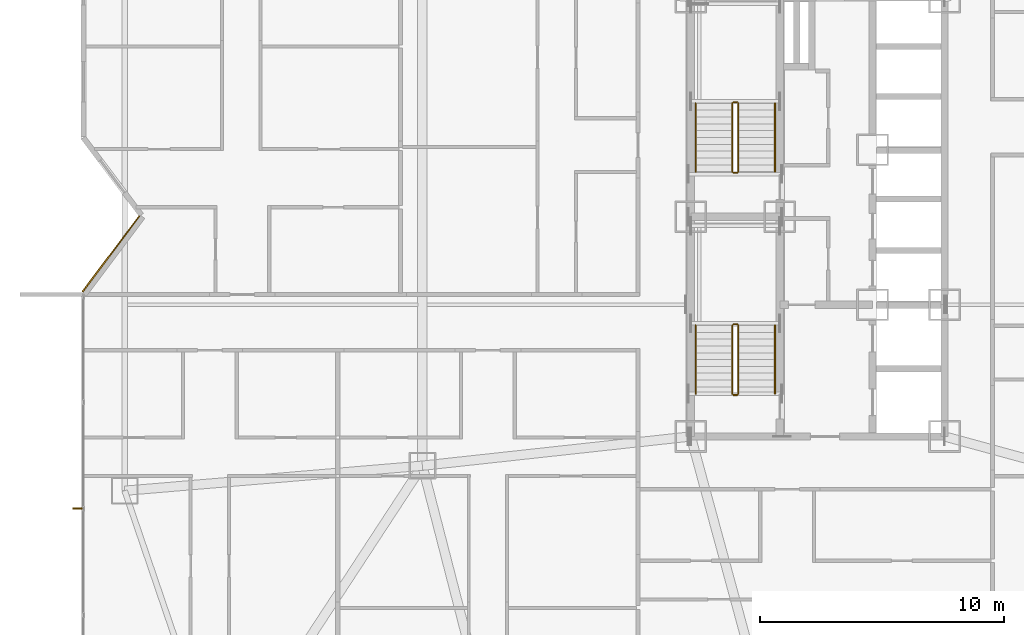
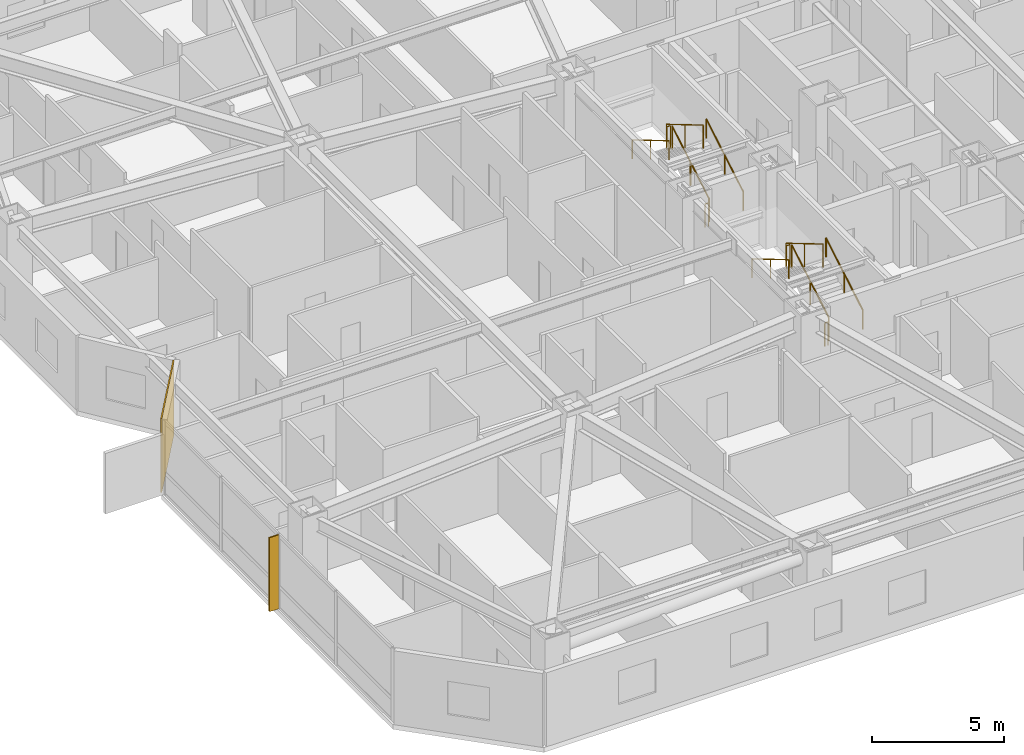
# One storey, part 18 of 19: 12 railings, 1 covering, 1 shading device.
"""IFC4 building model written with IfcOpenShell, lengths in metres."""

import ifcopenshell
import ifcopenshell.guid

model = None  # the IFC model being written
_history = None  # IfcOwnerHistory: only IFC2X3 demands one
_inside = {}  # id of a spatial element -> (the spatial element, [elements in it])
_under = {}  # id of a project, library or spatial element -> (it, [spatial elements below it])
_declared = {}  # id of a project -> (the project, [libraries it declares])
_typed = {}  # id of a type object -> (the type object, [elements of that type])
_made_of = {}  # id of a material, layer set ... -> (it, [elements and type objects made of it])


def new_model(schema):
    """Start an empty IFC model of exactly this schema.

    Asked for "IFC4X3", IfcOpenShell would pick the latest addendum, in which some entities
    have other attributes; the version numbers below select the first issue.
    IFC2X3 requires an IfcOwnerHistory on every rooted entity: one is made here for all.
    """
    global model, _history
    if schema == "IFC4X3":
        model = ifcopenshell.file(schema_version=(4, 3, 0, 0))
    else:
        model = ifcopenshell.file(schema=schema)
    _inside.clear()
    _under.clear()
    _declared.clear()
    _typed.clear()
    _made_of.clear()
    _history = None
    if model.schema == "IFC2X3":
        org = make("IfcOrganization", Name="unknown")
        user = make(
            "IfcPersonAndOrganization",
            ThePerson=make("IfcPerson", FamilyName="unknown"),
            TheOrganization=org,
        )
        app = make(
            "IfcApplication",
            ApplicationDeveloper=org,
            Version="unknown",
            ApplicationFullName="unknown",
            ApplicationIdentifier="unknown",
        )
        _history = make(
            "IfcOwnerHistory",
            OwningUser=user,
            OwningApplication=app,
            ChangeAction="ADDED",
            CreationDate=0,
        )
    return model


def make(cls, **values):
    """One entity of the class cls with the attributes given. An attribute that is None is left unset."""
    return model.create_entity(
        cls, **{name: value for name, value in values.items() if value is not None}
    )


def rooted(cls, **values):
    """An entity with a GlobalId (a new one), such as an element, a storey or a relation."""
    return make(cls, GlobalId=ifcopenshell.guid.new(), OwnerHistory=_history, **values)


def si_unit(unit_type, name, prefix=None):
    """IfcSIUnit, for example si_unit("LENGTHUNIT", "METRE", prefix="MILLI")."""
    return make("IfcSIUnit", UnitType=unit_type, Prefix=prefix, Name=name)


def assignment(units):
    """IfcUnitAssignment: the units of a project."""
    return None if units is None else make("IfcUnitAssignment", Units=units)


def point(xyz):
    """IfcCartesianPoint."""
    return None if xyz is None else make("IfcCartesianPoint", Coordinates=xyz)


def direction(xyz):
    """IfcDirection."""
    return None if xyz is None else make("IfcDirection", DirectionRatios=xyz)


def frame(location, z_axis=None, x_axis=None):
    """IfcAxis2Placement3D, a coordinate frame: its origin and axes. An axis left out is left unset."""
    return make(
        "IfcAxis2Placement3D",
        Location=point(location),
        Axis=direction(z_axis),
        RefDirection=direction(x_axis),
    )


def frame_2d(location, x_axis=None):
    """IfcAxis2Placement2D, a coordinate frame in the plane: its origin and x axis."""
    return make(
        "IfcAxis2Placement2D", Location=point(location), RefDirection=direction(x_axis)
    )


def origin():
    """The frame at (0, 0, 0) with its axes left unset."""
    return frame((0.0, 0.0, 0.0))


def origin_2d():
    """The frame at (0, 0) in the plane with its x axis left unset."""
    return frame_2d((0.0, 0.0))


def place(relative_to, where):
    """IfcLocalPlacement: puts the frame where relative to a parent placement (None: the world)."""
    return make(
        "IfcLocalPlacement", PlacementRelTo=relative_to, RelativePlacement=where
    )


def context(
    kind, dimensions, precision=None, world=None, true_north=None, identifier=None
):
    """IfcGeometricRepresentationContext, for example the 3D "Model" context."""
    return make(
        "IfcGeometricRepresentationContext",
        ContextIdentifier=identifier,
        ContextType=kind,
        CoordinateSpaceDimension=dimensions,
        Precision=precision,
        WorldCoordinateSystem=world,
        TrueNorth=true_north,
    )


def subcontext(parent, identifier, kind, view, scale=None):
    """IfcGeometricRepresentationSubContext, for example "Body" below "Model"."""
    return make(
        "IfcGeometricRepresentationSubContext",
        ContextIdentifier=identifier,
        ContextType=kind,
        ParentContext=parent,
        TargetScale=scale,
        TargetView=view,
    )


def project(units=None, contexts=None):
    """IfcProject with its units and contexts."""
    return rooted(
        "IfcProject",
        Name="project",
        RepresentationContexts=contexts,
        UnitsInContext=assignment(units),
    )


def spatial(cls, under=None, at=None, **own):
    """A site, building, storey or space (cls), placed at a placement, below another one or the project."""
    s = rooted(cls, ObjectPlacement=at, **own)
    if under is not None:
        _under.setdefault(under.id(), (under, []))[1].append(s)
    return s


def profile(cls, at=None, kind="AREA", **sizes):
    """A parametric profile (cls). Its sizes go by their IFC names, for example OverallWidth=200.0."""
    return make(cls, ProfileType=kind, Position=at, **sizes)


def rectangle(**sizes):
    """IfcRectangleProfileDef."""
    return profile("IfcRectangleProfileDef", **sizes)


def circle(**sizes):
    """IfcCircleProfileDef."""
    return profile("IfcCircleProfileDef", **sizes)


def extrude(swept, where, along, depth):
    """IfcExtrudedAreaSolid: the profile swept, set in the frame where, extruded along a direction by depth."""
    return make(
        "IfcExtrudedAreaSolid",
        SweptArea=swept,
        Position=where,
        ExtrudedDirection=direction(along),
        Depth=depth,
    )


def shape(context_of_items, identifier, shape_type, items):
    """IfcShapeRepresentation: the items that make up one representation, for example the "Body"."""
    return make(
        "IfcShapeRepresentation",
        ContextOfItems=context_of_items,
        RepresentationIdentifier=identifier,
        RepresentationType=shape_type,
        Items=items,
    )


def material(Name=None, Category=None):
    """IfcMaterial."""
    return make("IfcMaterial", Name=Name, Category=Category)


def layer(
    of_material, thickness, ventilated=None, Name=None, Category=None, Priority=None
):
    """IfcMaterialLayer: one layer of a wall or slab, of a material (None: an air gap)."""
    return make(
        "IfcMaterialLayer",
        Material=of_material,
        LayerThickness=thickness,
        IsVentilated=ventilated,
        Name=Name,
        Category=Category,
        Priority=Priority,
    )


def layer_set(layers, Name=None):
    """IfcMaterialLayerSet."""
    return make("IfcMaterialLayerSet", MaterialLayers=layers, LayerSetName=Name)


def made_of(thing, what):
    """Note that an element or type object is made of a material, layer set ...; save() writes the relation."""
    if what is not None:
        _made_of.setdefault(what.id(), (what, []))[1].append(thing)
    return thing


def type_object(cls, material=None, **own):
    """A type object (cls), such as IfcWallType, which elements share."""
    return made_of(rooted(cls, **own), material)


def element(
    cls,
    number,
    at=None,
    inside=None,
    cuts=None,
    type_object=None,
    material=None,
    context=None,
    identifier="Body",
    shape_type=None,
    held_by="IfcProductDefinitionShape",
    body=None,
    shapes=None,
    **own,
):
    """One element of the class cls, such as IfcWall. Its Tag is "e" and its number.

    at: its placement. inside: the storey or other place that contains it. cuts: it is an
    opening in that element (IfcRelVoidsElement). A single representation is given by context,
    identifier, shape_type and body (its items); several are given by shapes. held_by: the class
    of the entity that holds the representations. save() writes the other relations.
    """
    e = rooted(cls, Tag="e%d" % number, ObjectPlacement=at, **own)
    if body is not None:
        shapes = [shape(context, identifier, shape_type, body)]
    if shapes is not None:
        e.Representation = make(held_by, Representations=shapes)
    if inside is not None:
        _inside.setdefault(inside.id(), (inside, []))[1].append(e)
    if cuts is not None:
        rooted(
            "IfcRelVoidsElement", RelatingBuildingElement=cuts, RelatedOpeningElement=e
        )
    if type_object is not None:
        _typed.setdefault(type_object.id(), (type_object, []))[1].append(e)
    return made_of(e, material)


def aggregate(whole, parts):
    """IfcRelAggregates: a whole, such as a stair, and the parts it consists of."""
    return rooted("IfcRelAggregates", RelatingObject=whole, RelatedObjects=parts)


def save(model, path):
    """Write the relations noted so far, then the file.

    IfcRelAggregates (storeys below a building ...), IfcRelContainedInSpatialStructure (elements
    in a storey), IfcRelDefinesByType, IfcRelAssociatesMaterial and IfcRelDeclares: one each for
    every whole, place, type object, material and project.
    """
    for whole, parts in _under.values():
        aggregate(whole, parts)
    for where, things in _inside.values():
        rooted(
            "IfcRelContainedInSpatialStructure",
            RelatedElements=things,
            RelatingStructure=where,
        )
    for kind, things in _typed.values():
        rooted("IfcRelDefinesByType", RelatedObjects=things, RelatingType=kind)
    for what, things in _made_of.values():
        rooted("IfcRelAssociatesMaterial", RelatedObjects=things, RelatingMaterial=what)
    for by, libraries in _declared.values():
        rooted("IfcRelDeclares", RelatingContext=by, RelatedDefinitions=libraries)
    model.write(path)


model = new_model("IFC4")

# Units and contexts
model_context = context("Model", 3, precision=1e-05, world=origin(), true_north=direction((0.0, 1.0)))
body_context = subcontext(model_context, "Body", "Model", "MODEL_VIEW")
ifc_project = project(units=[si_unit("LENGTHUNIT", "METRE"), si_unit("AREAUNIT", "SQUARE_METRE"), si_unit("VOLUMEUNIT", "CUBIC_METRE"), si_unit("PLANEANGLEUNIT", "RADIAN"), si_unit("MASSUNIT", "GRAM", prefix="KILO")], contexts=[model_context])

# Site, building, storey
site_placement = place(None, origin())
site = spatial("IfcSite", under=ifc_project, at=site_placement, CompositionType="ELEMENT")
building_placement = place(site_placement, origin())
building = spatial("IfcBuilding", under=site, at=building_placement, Name="Khamvora Tower", CompositionType="ELEMENT")
storey_placement = place(building_placement, frame((0.0, 0.0, 58.85009765625)))
storey = spatial("IfcBuildingStorey", under=building, at=storey_placement, Name="L14", CompositionType="ELEMENT", Elevation=58.85009765625)

# Covering
ifc_material_1 = material(Name="Anodised Bronze Aluminium Spandrel Panel", Category="aluminium")
ifc_layer = layer(ifc_material_1, 0.054931640625)
ifc_layer_set = layer_set([ifc_layer], Name="Anodised Bronze Aluminium Spandrel Panel")
covering_type = type_object("IfcCoveringType", Name="COV-CLD-BRZ", PredefinedType="CLADDING", material=ifc_layer_set)
covering_placement = place(storey_placement, frame((5.239013671875, 26.48095703125, 0.0), z_axis=(0.0, 0.0, 1.0), x_axis=(0.599799379336, 0.8001504262, 0.0)))
element("IfcCovering", 1, at=covering_placement, inside=storey, type_object=covering_type, Name="L14 chamfer rainscreen cladding 03.1", PredefinedType="CLADDING", context=body_context, shape_type="SweptSolid", body=[
    extrude(rectangle(XDim=3.887939453125, YDim=0.054931640625, at=origin_2d()), origin(), (0.0, 0.0, 1.0), 3.429931640625),
])

# Railings
ifc_material_2 = material(Name="Brushed Stainless Steel 316", Category="steel")
railing_type_1 = type_object("IfcRailingType", Name="RAL-HDR-920", PredefinedType="HANDRAIL", material=ifc_material_2)
railing_1_placement = place(storey_placement, frame((32.449951171875, 20.75, 0.165771484375)))
element("IfcRailing", 2, at=railing_1_placement, inside=storey, type_object=railing_type_1, Name="L14 ST-01 stair handrail 1", PredefinedType="HANDRAIL", context=body_context, shape_type="SweptSolid", body=[
    extrude(circle(Radius=0.02392578125, at=origin_2d()), frame((0.0, 0.0, 0.8759765625), z_axis=(0.0, 0.860306154799, 0.50977771628), x_axis=(-1.0, 0.0, 0.0)), (0.0, 0.0, 1.0), 3.254638671875),
    extrude(circle(Radius=0.02099609375, at=origin_2d()), origin(), (0.0, 0.0, 1.0), 0.851806640625),
    extrude(circle(Radius=0.02099609375, at=origin_2d()), frame((0.0, 1.39990234375, 0.82958984375)), (0.0, 0.0, 1.0), 0.851806640625),
    extrude(circle(Radius=0.02099609375, at=origin_2d()), frame((0.0, 2.800048828125, 1.6591796875)), (0.0, 0.0, 1.0), 0.851806640625),
])
railing_2_placement = place(storey_placement, frame((29.199951171875, 23.550048828125, 1.99072265625)))
element("IfcRailing", 3, at=railing_2_placement, inside=storey, type_object=railing_type_1, Name="L14 ST-01 stair handrail 2", PredefinedType="HANDRAIL", context=body_context, shape_type="SweptSolid", body=[
    extrude(circle(Radius=0.02392578125, at=origin_2d()), frame((0.0, 0.0, 0.8759765625), z_axis=(0.0, -0.860306154799, 0.50977771628), x_axis=(1.0, 0.0, 0.0)), (0.0, 0.0, 1.0), 3.254638671875),
    extrude(circle(Radius=0.02099609375, at=origin_2d()), origin(), (0.0, 0.0, 1.0), 0.851806640625),
    extrude(circle(Radius=0.02099609375, at=origin_2d()), frame((0.0, -1.39990234375, 0.82958984375)), (0.0, 0.0, 1.0), 0.851806640625),
    extrude(circle(Radius=0.02099609375, at=origin_2d()), frame((0.0, -2.800048828125, 1.6591796875)), (0.0, 0.0, 1.0), 0.851806640625),
])
railing_3_placement = place(storey_placement, frame((32.449951171875, 29.85009765625, 0.165771484375)))
element("IfcRailing", 4, at=railing_3_placement, inside=storey, type_object=railing_type_1, Name="L14 ST-02 stair handrail 1", PredefinedType="HANDRAIL", context=body_context, shape_type="SweptSolid", body=[
    extrude(circle(Radius=0.02392578125, at=origin_2d()), frame((0.0, 0.0, 0.8759765625), z_axis=(0.0, 0.860286659441, 0.509810615413), x_axis=(-1.0, 0.0, 0.0)), (0.0, 0.0, 1.0), 3.25439453125),
    extrude(circle(Radius=0.02099609375, at=origin_2d()), origin(), (0.0, 0.0, 1.0), 0.851806640625),
    extrude(circle(Radius=0.02099609375, at=origin_2d()), frame((0.0, 1.39990234375, 0.82958984375)), (0.0, 0.0, 1.0), 0.851806640625),
    extrude(circle(Radius=0.02099609375, at=origin_2d()), frame((0.0, 2.7998046875, 1.6591796875)), (0.0, 0.0, 1.0), 0.851806640625),
])
railing_4_placement = place(storey_placement, frame((29.199951171875, 32.64990234375, 1.99072265625)))
element("IfcRailing", 5, at=railing_4_placement, inside=storey, type_object=railing_type_1, Name="L14 ST-02 stair handrail 2", PredefinedType="HANDRAIL", context=body_context, shape_type="SweptSolid", body=[
    extrude(circle(Radius=0.02392578125, at=origin_2d()), frame((0.0, 0.0, 0.8759765625), z_axis=(0.0, -0.860286659441, 0.509810615413), x_axis=(1.0, 0.0, 0.0)), (0.0, 0.0, 1.0), 3.25439453125),
    extrude(circle(Radius=0.02099609375, at=origin_2d()), origin(), (0.0, 0.0, 1.0), 0.851806640625),
    extrude(circle(Radius=0.02099609375, at=origin_2d()), frame((0.0, -1.39990234375, 0.82958984375)), (0.0, 0.0, 1.0), 0.851806640625),
    extrude(circle(Radius=0.02099609375, at=origin_2d()), frame((0.0, -2.7998046875, 1.6591796875)), (0.0, 0.0, 1.0), 0.851806640625),
])
ifc_material_3 = material(Name="Stainless Steel 316", Category="steel")
railing_type_2 = type_object("IfcRailingType", Name="RAL-STG-1100", PredefinedType="GUARDRAIL", material=ifc_material_3)
railing_5_placement = place(storey_placement, frame((30.949951171875, 20.75, 0.165771484375)))
element("IfcRailing", 6, at=railing_5_placement, inside=storey, type_object=railing_type_2, Name="L14 ST-01 stair guard 1", PredefinedType="GUARDRAIL", context=body_context, shape_type="SweptSolid", body=[
    extrude(circle(Radius=0.02392578125, at=origin_2d()), frame((0.0, 0.0, 1.076171875), z_axis=(0.0, 0.860306154799, 0.50977771628), x_axis=(-1.0, 0.0, 0.0)), (0.0, 0.0, 1.0), 3.254638671875),
    extrude(circle(Radius=0.02099609375, at=origin_2d()), origin(), (0.0, 0.0, 1.0), 1.052001953125),
    extrude(circle(Radius=0.02099609375, at=origin_2d()), frame((0.0, 1.39990234375, 0.82958984375)), (0.0, 0.0, 1.0), 1.052001953125),
    extrude(circle(Radius=0.02099609375, at=origin_2d()), frame((0.0, 2.800048828125, 1.6591796875)), (0.0, 0.0, 1.0), 1.052001953125),
])
railing_6_placement = place(storey_placement, frame((30.89990234375, 23.60009765625, 1.824951171875)))
element("IfcRailing", 7, at=railing_6_placement, inside=storey, type_object=railing_type_2, Name="L14 ST-01 stair guard 2", PredefinedType="GUARDRAIL", context=body_context, shape_type="SweptSolid", body=[
    extrude(circle(Radius=0.02392578125, at=origin_2d()), frame((0.0, 0.0, 1.076171875), z_axis=(-1.0, 0.0, 0.0), x_axis=(0.0, -1.0, 0.0)), (0.0, 0.0, 1.0), 0.14990234375),
    extrude(circle(Radius=0.02099609375, at=origin_2d()), origin(), (0.0, 0.0, 1.0), 1.052001953125),
    extrude(circle(Radius=0.02099609375, at=origin_2d()), frame((-0.14990234375, 0.0, 0.0)), (0.0, 0.0, 1.0), 1.052001953125),
])
railing_7_placement = place(storey_placement, frame((30.699951171875, 23.550048828125, 1.99072265625)))
element("IfcRailing", 8, at=railing_7_placement, inside=storey, type_object=railing_type_2, Name="L14 ST-01 stair guard 3", PredefinedType="GUARDRAIL", context=body_context, shape_type="SweptSolid", body=[
    extrude(circle(Radius=0.02392578125, at=origin_2d()), frame((0.0, 0.0, 1.076171875), z_axis=(0.0, -0.860306154799, 0.50977771628), x_axis=(1.0, 0.0, 0.0)), (0.0, 0.0, 1.0), 3.254638671875),
    extrude(circle(Radius=0.02099609375, at=origin_2d()), origin(), (0.0, 0.0, 1.0), 1.052001953125),
    extrude(circle(Radius=0.02099609375, at=origin_2d()), frame((0.0, -1.39990234375, 0.82958984375)), (0.0, 0.0, 1.0), 1.052001953125),
    extrude(circle(Radius=0.02099609375, at=origin_2d()), frame((0.0, -2.800048828125, 1.6591796875)), (0.0, 0.0, 1.0), 1.052001953125),
])
railing_8_placement = place(storey_placement, frame((30.89990234375, 20.699951171875, 0.0)))
element("IfcRailing", 9, at=railing_8_placement, inside=storey, type_object=railing_type_2, Name="L14 ST-01 stair guard 4", PredefinedType="GUARDRAIL", context=body_context, shape_type="SweptSolid", body=[
    extrude(circle(Radius=0.02392578125, at=origin_2d()), frame((0.0, 0.0, 1.076171875), z_axis=(-1.0, 0.0, 0.0), x_axis=(0.0, -1.0, 0.0)), (0.0, 0.0, 1.0), 0.14990234375),
    extrude(circle(Radius=0.02099609375, at=origin_2d()), origin(), (0.0, 0.0, 1.0), 1.052001953125),
    extrude(circle(Radius=0.02099609375, at=origin_2d()), frame((-0.14990234375, 0.0, 0.0)), (0.0, 0.0, 1.0), 1.052001953125),
])
railing_9_placement = place(storey_placement, frame((30.949951171875, 29.85009765625, 0.165771484375)))
element("IfcRailing", 10, at=railing_9_placement, inside=storey, type_object=railing_type_2, Name="L14 ST-02 stair guard 1", PredefinedType="GUARDRAIL", context=body_context, shape_type="SweptSolid", body=[
    extrude(circle(Radius=0.02392578125, at=origin_2d()), frame((0.0, 0.0, 1.076171875), z_axis=(0.0, 0.860286659441, 0.509810615413), x_axis=(-1.0, 0.0, 0.0)), (0.0, 0.0, 1.0), 3.25439453125),
    extrude(circle(Radius=0.02099609375, at=origin_2d()), origin(), (0.0, 0.0, 1.0), 1.052001953125),
    extrude(circle(Radius=0.02099609375, at=origin_2d()), frame((0.0, 1.39990234375, 0.82958984375)), (0.0, 0.0, 1.0), 1.052001953125),
    extrude(circle(Radius=0.02099609375, at=origin_2d()), frame((0.0, 2.7998046875, 1.6591796875)), (0.0, 0.0, 1.0), 1.052001953125),
])
railing_10_placement = place(storey_placement, frame((30.89990234375, 32.699951171875, 1.824951171875)))
element("IfcRailing", 11, at=railing_10_placement, inside=storey, type_object=railing_type_2, Name="L14 ST-02 stair guard 2", PredefinedType="GUARDRAIL", context=body_context, shape_type="SweptSolid", body=[
    extrude(circle(Radius=0.02392578125, at=origin_2d()), frame((0.0, 0.0, 1.076171875), z_axis=(-1.0, 0.0, 0.0), x_axis=(0.0, -1.0, 0.0)), (0.0, 0.0, 1.0), 0.14990234375),
    extrude(circle(Radius=0.02099609375, at=origin_2d()), origin(), (0.0, 0.0, 1.0), 1.052001953125),
    extrude(circle(Radius=0.02099609375, at=origin_2d()), frame((-0.14990234375, 0.0, 0.0)), (0.0, 0.0, 1.0), 1.052001953125),
])
railing_11_placement = place(storey_placement, frame((30.699951171875, 32.64990234375, 1.99072265625)))
element("IfcRailing", 12, at=railing_11_placement, inside=storey, type_object=railing_type_2, Name="L14 ST-02 stair guard 3", PredefinedType="GUARDRAIL", context=body_context, shape_type="SweptSolid", body=[
    extrude(circle(Radius=0.02392578125, at=origin_2d()), frame((0.0, 0.0, 1.076171875), z_axis=(0.0, -0.860286659441, 0.509810615413), x_axis=(1.0, 0.0, 0.0)), (0.0, 0.0, 1.0), 3.25439453125),
    extrude(circle(Radius=0.02099609375, at=origin_2d()), origin(), (0.0, 0.0, 1.0), 1.052001953125),
    extrude(circle(Radius=0.02099609375, at=origin_2d()), frame((0.0, -1.39990234375, 0.82958984375)), (0.0, 0.0, 1.0), 1.052001953125),
    extrude(circle(Radius=0.02099609375, at=origin_2d()), frame((0.0, -2.7998046875, 1.6591796875)), (0.0, 0.0, 1.0), 1.052001953125),
])
railing_12_placement = place(storey_placement, frame((30.89990234375, 29.800048828125, 0.0)))
element("IfcRailing", 13, at=railing_12_placement, inside=storey, type_object=railing_type_2, Name="L14 ST-02 stair guard 4", PredefinedType="GUARDRAIL", context=body_context, shape_type="SweptSolid", body=[
    extrude(circle(Radius=0.02392578125, at=origin_2d()), frame((0.0, 0.0, 1.076171875), z_axis=(-1.0, 0.0, 0.0), x_axis=(0.0, -1.0, 0.0)), (0.0, 0.0, 1.0), 0.14990234375),
    extrude(circle(Radius=0.02099609375, at=origin_2d()), origin(), (0.0, 0.0, 1.0), 1.052001953125),
    extrude(circle(Radius=0.02099609375, at=origin_2d()), frame((-0.14990234375, 0.0, 0.0)), (0.0, 0.0, 1.0), 1.052001953125),
])

# Shading device
ifc_material_4 = material(Name="Anodised Bronze Aluminium 6063-T6", Category="aluminium")
shading_device_type = type_object("IfcShadingDeviceType", Name="SHD-FIN-420", PredefinedType="USERDEFINED", material=ifc_material_4)
shading_device_placement = place(storey_placement, frame((3.8798828125, 16.0400390625, 0.0), z_axis=(0.0, 0.0, 1.0), x_axis=(0.0, 1.0, 0.0)))
element("IfcShadingDevice", 14, at=shading_device_placement, inside=storey, type_object=shading_device_type, Name="L14 anodised bronze solar fin 02.01", ObjectType="FIN", PredefinedType="USERDEFINED", context=body_context, shape_type="SweptSolid", body=[
    extrude(rectangle(XDim=0.06005859375, YDim=0.419921875, at=origin_2d()), origin(), (0.0, 0.0, 1.0), 3.429931640625),
])

save(model, "model.ifc")
